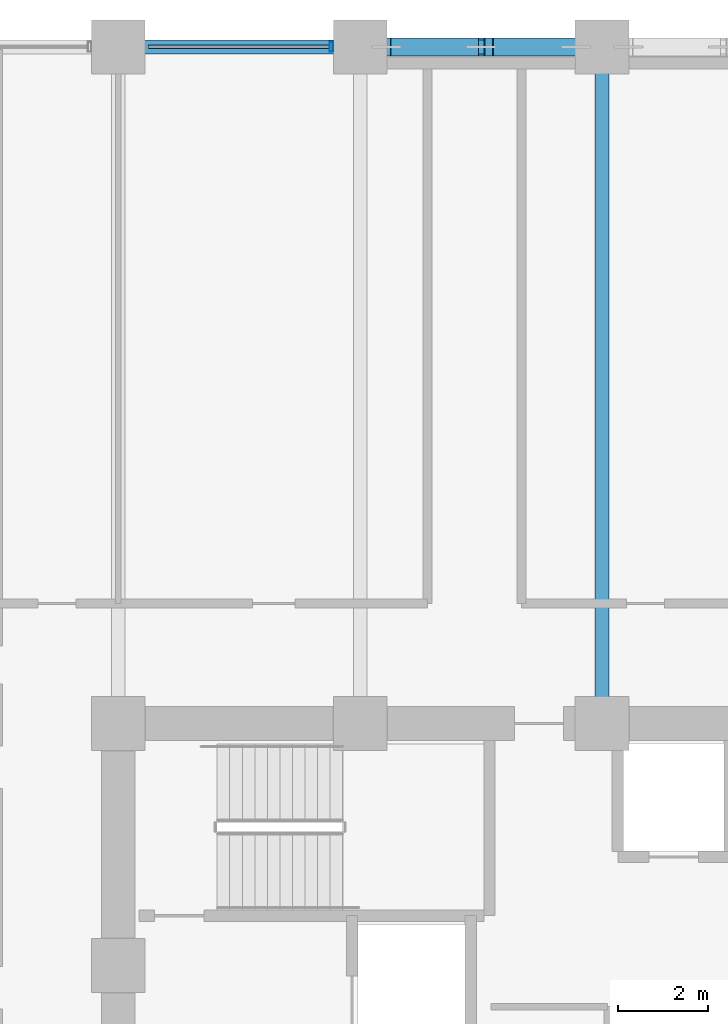
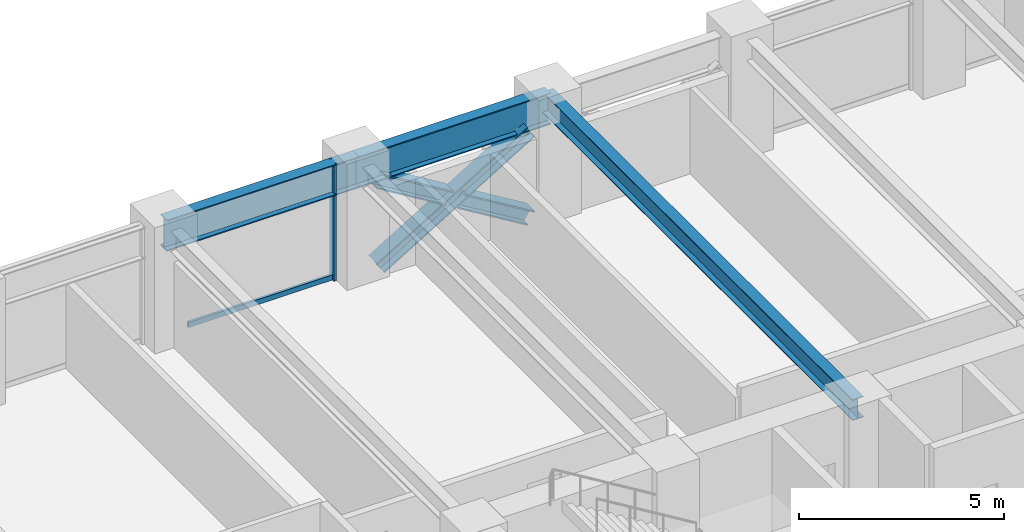
# One storey, part 13 of 26: 5 members, 3 beams, 1 element without a shape of its own.
"""IFC4 building model written with IfcOpenShell, lengths in metres."""

from ifc_helpers import new_model, si_unit, direction, frame, origin, origin_2d, place, context, subcontext, project, spatial, hollow_rectangle, i_section, extrude, material, layer, layer_set, material_profile, profile_set, type_object, element, aggregate, save


model = new_model("IFC4")

# Units and contexts
model_context = context("Model", 3, precision=1e-05, world=origin(), true_north=direction((0.0, 1.0)))
body_context = subcontext(model_context, "Body", "Model", "MODEL_VIEW")
ifc_project = project(units=[si_unit("LENGTHUNIT", "METRE"), si_unit("AREAUNIT", "SQUARE_METRE"), si_unit("VOLUMEUNIT", "CUBIC_METRE"), si_unit("PLANEANGLEUNIT", "RADIAN"), si_unit("MASSUNIT", "GRAM", prefix="KILO")], contexts=[model_context])

# Site, building, storey
site_placement = place(None, origin())
site = spatial("IfcSite", under=ifc_project, at=site_placement, CompositionType="ELEMENT")
building_placement = place(site_placement, origin())
building = spatial("IfcBuilding", under=site, at=building_placement, Name="Surkhivell Harbour Commons", CompositionType="ELEMENT")
storey_placement = place(building_placement, frame((0.0, 0.0, 75.0)))
storey = spatial("IfcBuildingStorey", under=building, at=storey_placement, Name="L19", CompositionType="ELEMENT", Elevation=75.0)

# Beams
ifc_material_1 = material(Name="Steel S355", Category="steel")
ifc_material_profile_1 = material_profile(ifc_material_1, i_section(OverallWidth=0.306884765625, OverallDepth=0.6201171875, WebThickness=0.01416015625, FlangeThickness=0.023681640625, at=origin_2d()), Name="UB610x305x179")
ifc_profile_set_1 = profile_set([ifc_material_profile_1], Name="Steel S355")
beam_type_1 = type_object("IfcBeamType", Name="BM-GRD-610A", PredefinedType="BEAM", material=ifc_profile_set_1)
beam_1_placement = place(storey_placement, frame((0.0, 10.800048828125, 3.18994140625), z_axis=(0.0, 1.0, 0.0), x_axis=(-1.0, 0.0, 0.0)))
element("IfcBeam", 1, at=beam_1_placement, inside=storey, type_object=beam_type_1, Name="L19 Floor Girder (0.0,10.8)", PredefinedType="BEAM", context=body_context, shape_type="SweptSolid", body=[
    extrude(i_section(OverallWidth=0.306884765625, OverallDepth=0.6201171875, WebThickness=0.01416015625, FlangeThickness=0.023681640625, at=origin_2d()), origin(), (0.0, 0.0, 1.0), 15.099853515625),
])
ifc_material_2 = material(Name="Steel S460", Category="steel")
ifc_material_profile_2 = material_profile(ifc_material_2, i_section(OverallWidth=0.30810546875, OverallDepth=0.927001953125, WebThickness=0.01953125, FlangeThickness=0.031982421875, at=origin_2d()), Name="UB914x305x289")
ifc_profile_set_2 = profile_set([ifc_material_profile_2], Name="Steel S460")
beam_type_2 = type_object("IfcBeamType", Name="BM-SPN-914B", PredefinedType="SPANDREL", material=ifc_profile_set_2)
beam_2_placement = place(storey_placement, frame((-10.800048828125, 25.89990234375, 3.03662109375), z_axis=(1.0, 0.0, 0.0), x_axis=(0.0, 1.0, 0.0)))
element("IfcBeam", 2, at=beam_2_placement, inside=storey, type_object=beam_type_2, Name="L19 Tube Spandrel (-10.8,25.9)", PredefinedType="SPANDREL", context=body_context, shape_type="SweptSolid", body=[
    extrude(i_section(OverallWidth=0.30810546875, OverallDepth=0.927001953125, WebThickness=0.01953125, FlangeThickness=0.031982421875, at=origin_2d()), origin(), (0.0, 0.0, 1.0), 5.400146484375),
])
beam_3_placement = place(storey_placement, frame((-5.39990234375, 25.89990234375, 3.03662109375), z_axis=(1.0, 0.0, 0.0), x_axis=(0.0, 1.0, 0.0)))
element("IfcBeam", 3, at=beam_3_placement, inside=storey, type_object=beam_type_2, Name="L19 Tube Spandrel (-5.4,25.9)", PredefinedType="SPANDREL", context=body_context, shape_type="SweptSolid", body=[
    extrude(i_section(OverallWidth=0.30810546875, OverallDepth=0.927001953125, WebThickness=0.01953125, FlangeThickness=0.031982421875, at=origin_2d()), origin(), (0.0, 0.0, 1.0), 5.39990234375),
])

# Curtain wall, members
ifc_material_3 = material(Name="Anodised pale-metal aluminium and insulated glazing", Category="aluminium")
ifc_layer = layer(ifc_material_3, 0.219970703125)
ifc_layer_set = layer_set([ifc_layer], Name="Anodised pale-metal aluminium and insulated glazing")
curtain_wall_type = type_object("IfcCurtainWallType", Name="CW-SYS-Z1", PredefinedType="NOTDEFINED", material=ifc_layer_set)
curtain_wall_placement = place(storey_placement, origin())
curtain_wall = element("IfcCurtainWall", 4, at=curtain_wall_placement, inside=storey, type_object=curtain_wall_type, Name="L19 Curtain Wall CW-L19-E07S2", PredefinedType="NOTDEFINED")
ifc_material_4 = material(Name="Anodised pale-metal aluminium alloy 6063-T6", Category="aluminium")
ifc_material_profile_3 = material_profile(ifc_material_4, hollow_rectangle(XDim=0.074951171875, YDim=0.219970703125, WallThickness=0.00390625, at=origin_2d()), Name="ALU-MULL-75x220")
ifc_profile_set_3 = profile_set([ifc_material_profile_3], Name="Anodised pale-metal aluminium alloy 6063-T6")
member_type_1 = type_object("IfcMemberType", Name="CWM-220", PredefinedType="MULLION", material=ifc_profile_set_3)
member_1_placement = place(storey_placement, frame((-6.03955078125, 25.89990234375, 0.0), z_axis=(0.0, 0.0, 1.0), x_axis=(-1.0, 0.0, 0.0)))
member_1 = element("IfcMember", 5, at=member_1_placement, type_object=member_type_1, Name="CW-Z1 mullion 1", PredefinedType="MULLION", context=body_context, shape_type="SweptSolid", body=[
    extrude(hollow_rectangle(XDim=0.074951171875, YDim=0.219970703125, WallThickness=0.00390625, at=origin_2d()), origin(), (0.0, 0.0, 1.0), 3.5),
])
ifc_material_profile_4 = material_profile(ifc_material_4, hollow_rectangle(XDim=0.074951171875, YDim=0.14990234375, WallThickness=0.00341796875, at=origin_2d()), Name="ALU-TRAN-75x150")
ifc_profile_set_4 = profile_set([ifc_material_profile_4], Name="Anodised pale-metal aluminium alloy 6063-T6")
member_type_2 = type_object("IfcMemberType", Name="CWT-150", PredefinedType="USERDEFINED", material=ifc_profile_set_4)
member_2_placement = place(storey_placement, frame((-6.076904296875, 25.89990234375, 0.074951171875), z_axis=(-1.0, 0.0, 0.0), x_axis=(0.0, -1.0, 0.0)))
member_2 = element("IfcMember", 6, at=member_2_placement, type_object=member_type_2, Name="CW-Z1 transom 1.1", ObjectType="TRANSOM", PredefinedType="USERDEFINED", context=body_context, shape_type="SweptSolid", body=[
    extrude(hollow_rectangle(XDim=0.074951171875, YDim=0.14990234375, WallThickness=0.00341796875, at=origin_2d()), origin(), (0.0, 0.0, 1.0), 4.046142578125),
])
aggregate(curtain_wall, [member_1, member_2])

# Members
ifc_material_profile_5 = material_profile(ifc_material_2, i_section(OverallWidth=0.406005859375, OverallDepth=0.416015625, WebThickness=0.026611328125, FlangeThickness=0.0390625, at=origin_2d()), Name="HD400x382")
ifc_profile_set_5 = profile_set([ifc_material_profile_5], Name="Steel S460")
member_type_3 = type_object("IfcMemberType", Name="MEM-BRC-HD382", PredefinedType="BRACE", material=ifc_profile_set_5)
member_3_placement = place(storey_placement, frame((-4.81494140625, 25.89990234375, 0.008056640625), z_axis=(0.854729672163, 0.0, 0.519073393195), x_axis=(0.0, 1.0, 0.0)))
element("IfcMember", 7, at=member_3_placement, inside=storey, type_object=member_type_3, Name="L19 Perimeter Mega-Brace MB- 01", PredefinedType="BRACE", context=body_context, shape_type="SweptSolid", body=[
    extrude(i_section(OverallWidth=0.406005859375, OverallDepth=0.416015625, WebThickness=0.026611328125, FlangeThickness=0.0390625, at=origin_2d()), origin(), (0.0, 0.0, 1.0), 4.948974609375),
])
for number, where, z_axis, x_axis, name in (
    (8, (-0.5849609375, 25.89990234375, 0.008056640625), (-0.85475350478, 0.0, 0.519034147302), (0.0, -1.0, 0.0), "L19 Perimeter Mega-Brace MB- 02"),
    (9, (-2.87060546875, 25.89990234375, 1.396240234375), (-0.85475350478, 0.0, 0.519034147302), (0.0, -1.0, 0.0), "L19 Perimeter Mega-Brace MB- 03"),
):
    element("IfcMember", number, at=place(storey_placement, frame(where, z_axis=z_axis, x_axis=x_axis)), inside=storey, type_object=member_type_3, Name=name, PredefinedType="BRACE", context=body_context, shape_type="SweptSolid", body=[
        extrude(i_section(OverallWidth=0.406005859375, OverallDepth=0.416015625, WebThickness=0.026611328125, FlangeThickness=0.0390625, at=origin_2d()), origin(), (0.0, 0.0, 1.0), 2.274658203125),
    ])

save(model, "model.ifc")
